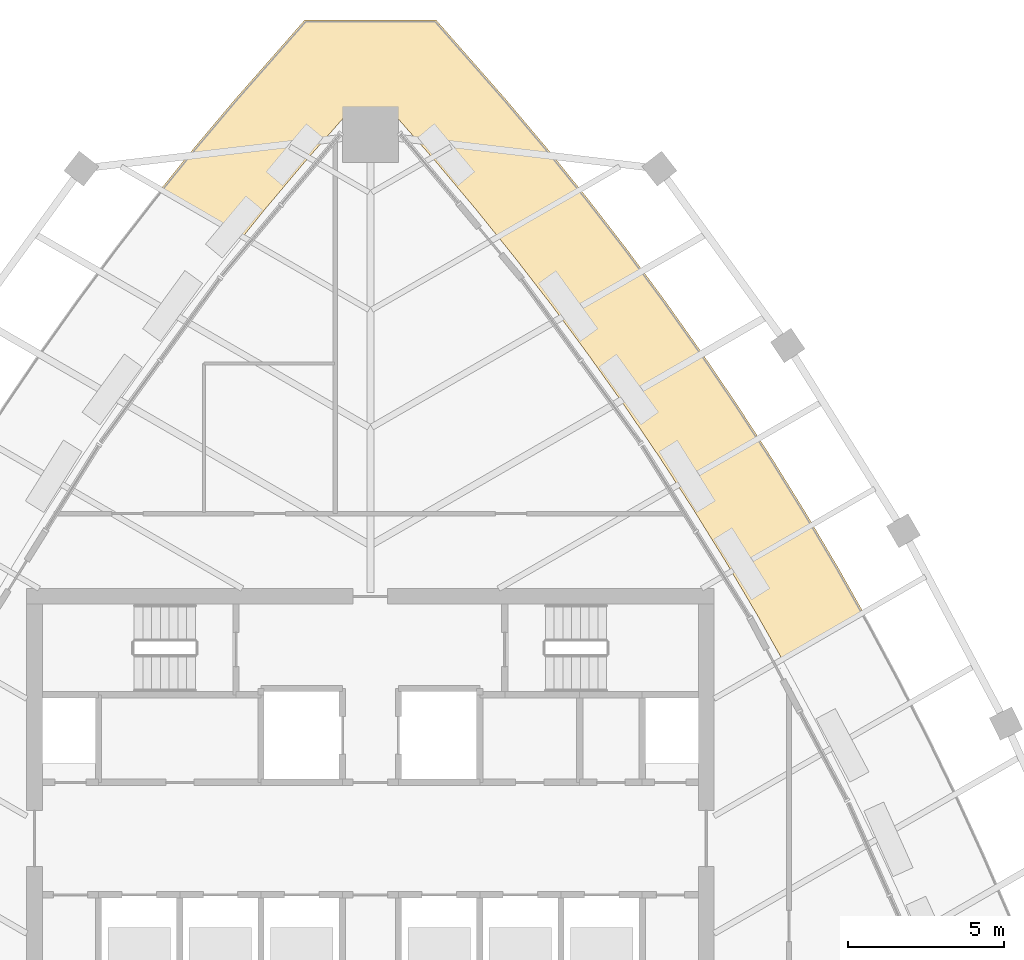
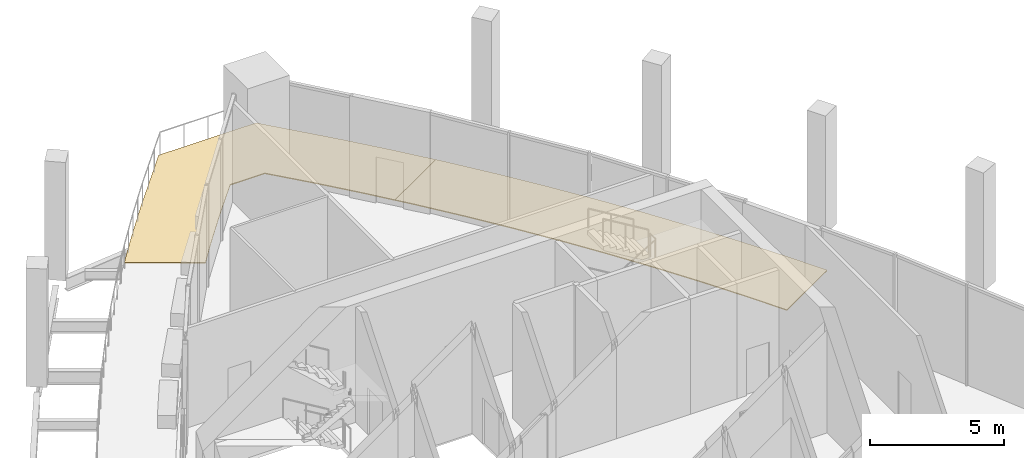
# One storey, part 13 of 14: 2 coverings.
"""IFC4 building model written with IfcOpenShell, lengths in metres."""

from ifc_helpers import new_model, si_unit, direction, frame, origin, place, context, subcontext, project, spatial, polyline, outline, extrude, material, layer, layer_set, type_object, element, save


model = new_model("IFC4")

# Units and contexts
model_context = context("Model", 3, precision=1e-05, world=origin(), true_north=direction((0.0, 1.0)))
body_context = subcontext(model_context, "Body", "Model", "MODEL_VIEW")
ifc_project = project(units=[si_unit("LENGTHUNIT", "METRE"), si_unit("AREAUNIT", "SQUARE_METRE"), si_unit("VOLUMEUNIT", "CUBIC_METRE"), si_unit("PLANEANGLEUNIT", "RADIAN"), si_unit("MASSUNIT", "GRAM", prefix="KILO")], contexts=[model_context])

# Site, building, storey
site_placement = place(None, origin())
site = spatial("IfcSite", under=ifc_project, at=site_placement, CompositionType="ELEMENT")
building_placement = place(site_placement, origin())
building = spatial("IfcBuilding", under=site, at=building_placement, Name="Sierra Prisma Convention Tower", CompositionType="ELEMENT")
storey_placement = place(building_placement, frame((0.0, 0.0, 339.39990234375)))
storey = spatial("IfcBuildingStorey", under=building, at=storey_placement, Name="L76", CompositionType="ELEMENT", Elevation=339.39990234375)

# Coverings
ifc_material = material(Name="Porcelain stoneware paving", Category="masonry")
ifc_layer = layer(ifc_material, 0.0400390625)
ifc_layer_set = layer_set([ifc_layer], Name="Deck paving")
covering_type = type_object("IfcCoveringType", Name="Deck paving", PredefinedType="FLOORING", material=ifc_layer_set)
covering_1_placement = place(storey_placement, origin())
element("IfcCovering", 1, at=covering_1_placement, inside=storey, type_object=covering_type, Name="Deck paving L76", PredefinedType="FLOORING", context=body_context, shape_type="SweptSolid", body=[
    extrude(outline(polyline([(15.78076171875, 7.2333984375), (13.1826171875, 5.733154296875), (12.38427734375, 7.14990234375), (11.556396484375, 8.5498046875), (11.373291015625, 8.859619140625), (10.3271484375, 10.548095703125), (9.832763671875, 11.31005859375), (9.24609375, 12.21435546875), (8.130615234375, 13.857666015625), (8.017333984375, 14.017333984375), (6.981201171875, 15.4775390625), (6.1005859375, 16.666015625), (5.798583984375, 17.0732421875), (4.5830078125, 18.64404296875), (4.086669921875, 19.2587890625), (6.716552734375, 20.777099609375), (6.9365234375, 20.5048828125), (8.190185546875, 18.884765625), (8.715576171875, 18.176025390625), (9.409912109375, 17.239013671875), (10.595458984375, 15.568115234375), (10.625732421875, 15.5234375), (11.745849609375, 13.873291015625), (12.434326171875, 12.81201171875), (12.86083984375, 12.15478515625), (13.939697265625, 10.413330078125), (14.15478515625, 10.0498046875), (14.982421875, 8.650146484375), (15.78076171875, 7.2333984375)])), origin(), (0.0, 0.0, 1.0), 0.0400390625),
])
covering_2_placement = place(storey_placement, origin())
element("IfcCovering", 2, at=covering_2_placement, inside=storey, type_object=covering_type, Name="Deck paving L76", PredefinedType="FLOORING", context=body_context, shape_type="SweptSolid", body=[
    extrude(outline(polyline([(-6.716552734375, 20.777099609375), (-5.6494140625, 22.098388671875), (-4.32958984375, 23.6650390625), (-2.101806640625, 26.200439453125), (2.101806640625, 26.200439453125), (4.32958984375, 23.6650390625), (5.6494140625, 22.098388671875), (6.716552734375, 20.777099609375), (4.086669921875, 19.2587890625), (3.335205078125, 20.189453125), (2.055419921875, 21.708251953125), (1.977783203125, 21.796630859375), (0.744384765625, 23.200439453125), (-0.744384765625, 23.200439453125), (-1.977783203125, 21.796630859375), (-2.055419921875, 21.708251953125), (-3.335205078125, 20.189453125), (-4.086669921875, 19.2587890625), (-6.716552734375, 20.777099609375)])), origin(), (0.0, 0.0, 1.0), 0.0400390625),
])

save(model, "model.ifc")
